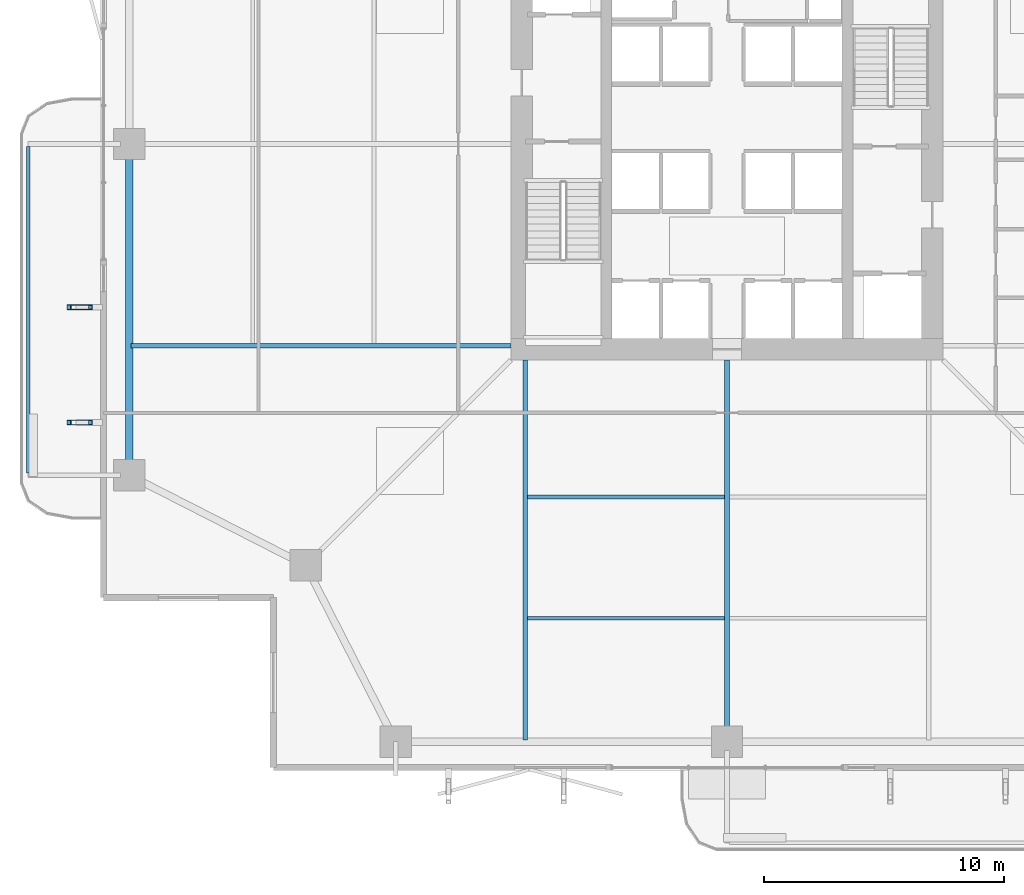
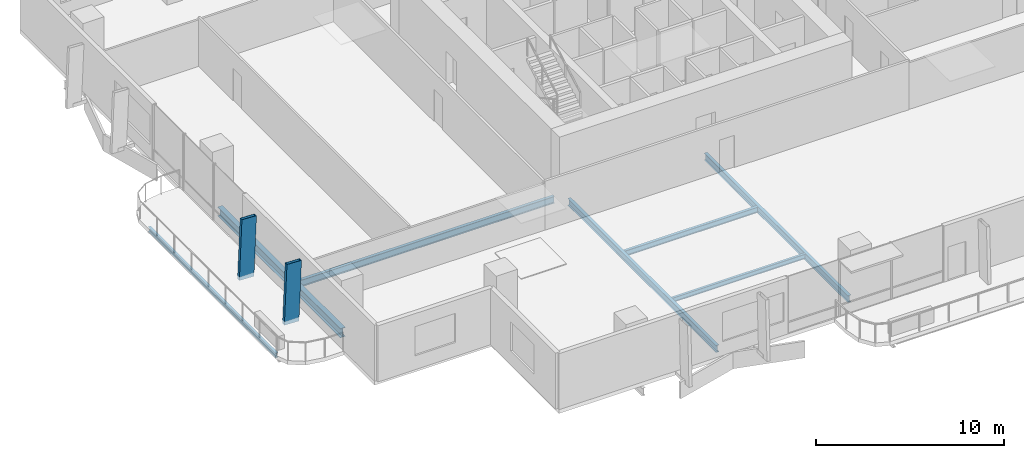
# One storey, part 3 of 24: 7 beams, 2 members.
"""IFC4 building model written with IfcOpenShell, lengths in metres."""

from ifc_helpers import new_model, si_unit, direction, frame, origin, origin_2d, place, context, subcontext, project, spatial, hollow_rectangle, i_section, extrude, material, material_profile, profile_set, type_object, element, save


model = new_model("IFC4")

# Units and contexts
model_context = context("Model", 3, precision=1e-05, world=origin(), true_north=direction((0.0, 1.0)))
body_context = subcontext(model_context, "Body", "Model", "MODEL_VIEW")
ifc_project = project(units=[si_unit("LENGTHUNIT", "METRE"), si_unit("AREAUNIT", "SQUARE_METRE"), si_unit("VOLUMEUNIT", "CUBIC_METRE"), si_unit("PLANEANGLEUNIT", "RADIAN"), si_unit("MASSUNIT", "GRAM", prefix="KILO")], contexts=[model_context])

# Site, building, storey
site_placement = place(None, origin())
site = spatial("IfcSite", under=ifc_project, at=site_placement, CompositionType="ELEMENT")
building_placement = place(site_placement, origin())
building = spatial("IfcBuilding", under=site, at=building_placement, Name="Belovzor Exchange Tower", CompositionType="ELEMENT")
storey_placement = place(building_placement, frame((0.0, 0.0, 117.300048828125)))
storey = spatial("IfcBuildingStorey", under=building, at=storey_placement, Name="L28", CompositionType="ELEMENT", Elevation=117.300048828125)

# Beams
ifc_material_1 = material(Name="Steel S355", Category="steel")
ifc_material_profile_1 = material_profile(ifc_material_1, i_section(OverallWidth=0.14990234375, OverallDepth=0.300048828125, WebThickness=0.007080078125, FlangeThickness=0.0107421875, at=origin_2d()))
ifc_profile_set_1 = profile_set([ifc_material_profile_1], Name="Steel S355")
beam_type_1 = type_object("IfcBeamType", Name="Planted Balcony Fascia Edge Beam IPE 300", PredefinedType="BEAM", material=ifc_profile_set_1)
beam_1_placement = place(storey_placement, frame((-0.30810546875, 28.699951171875, -0.400146484375), z_axis=(0.0, -1.0, 0.0), x_axis=(1.0, 0.0, 0.0)))
element("IfcBeam", 1, at=beam_1_placement, inside=storey, type_object=beam_type_1, Name="BC-300 Planted Balcony Fascia Edge Beam IPE 300", PredefinedType="BEAM", context=body_context, shape_type="SweptSolid", body=[
    extrude(i_section(OverallWidth=0.14990234375, OverallDepth=0.300048828125, WebThickness=0.007080078125, FlangeThickness=0.0107421875, at=origin_2d()), origin(), (0.0, 0.0, 1.0), 13.599853515625),
])
ifc_material_2 = material(Name="Steel S355", Category="steel")
ifc_material_profile_2 = material_profile(ifc_material_2, i_section(OverallWidth=0.169921875, OverallDepth=0.360107421875, WebThickness=0.008056640625, FlangeThickness=0.0126953125, at=origin_2d()))
ifc_profile_set_2 = profile_set([ifc_material_profile_2], Name="Steel S355")
beam_type_2 = type_object("IfcBeamType", Name="Secondary Infill Floor Joist IPE 360", PredefinedType="BEAM", material=ifc_profile_set_2)
beam_2_placement = place(storey_placement, frame((20.4951171875, 14.10302734375, -0.429931640625), z_axis=(1.0, 0.0, 0.0), x_axis=(0.0, 1.0, 0.0)))
element("IfcBeam", 2, at=beam_2_placement, inside=storey, type_object=beam_type_2, Name="FJ-360 Secondary Infill Floor Joist IPE 360", PredefinedType="BEAM", context=body_context, shape_type="SweptSolid", body=[
    extrude(i_section(OverallWidth=0.169921875, OverallDepth=0.360107421875, WebThickness=0.008056640625, FlangeThickness=0.0126953125, at=origin_2d()), origin(), (0.0, 0.0, 1.0), 8.2099609375),
])
ifc_material_3 = material(Name="Steel S355", Category="steel")
ifc_material_profile_3 = material_profile(ifc_material_3, i_section(OverallWidth=0.14990234375, OverallDepth=0.300048828125, WebThickness=0.007080078125, FlangeThickness=0.0107421875, at=origin_2d()))
ifc_profile_set_3 = profile_set([ifc_material_profile_3], Name="Steel S355")
beam_type_3 = type_object("IfcBeamType", Name="Secondary Trim Floor Joist IPE 300", PredefinedType="BEAM", material=ifc_profile_set_3)
beam_3_placement = place(storey_placement, frame((20.4951171875, 9.0390625, -0.400146484375), z_axis=(1.0, 0.0, 0.0), x_axis=(0.0, 1.0, 0.0)))
element("IfcBeam", 3, at=beam_3_placement, inside=storey, type_object=beam_type_3, Name="FJ-300 Secondary Trim Floor Joist IPE 300", PredefinedType="BEAM", context=body_context, shape_type="SweptSolid", body=[
    extrude(i_section(OverallWidth=0.14990234375, OverallDepth=0.300048828125, WebThickness=0.007080078125, FlangeThickness=0.0107421875, at=origin_2d()), origin(), (0.0, 0.0, 1.0), 8.2099609375),
])

# Members
ifc_material_4 = material(Name="Extruded Architectural Terracotta on Steel S355 Carrier", Category="masonry")
ifc_material_profile_4 = material_profile(ifc_material_4, hollow_rectangle(XDim=0.199951171875, YDim=0.89990234375, WallThickness=0.011962890625, at=origin_2d()))
ifc_profile_set_4 = profile_set([ifc_material_profile_4], Name="Extruded Architectural Terracotta on Steel S355 Carrier")
member_type = type_object("IfcMemberType", Name="Sweeping Terracotta Baguette Fin Assembly 1250", PredefinedType="USERDEFINED", material=ifc_profile_set_4)
for number, where, z_axis, x_axis, name in (
    (4, (1.758056640625, 17.199951171875, -0.25), (0.040719923662, 0.0, 0.999170599956), (0.0, 1.0, 0.0), "FIN-TC125 Terracotta Facade Fin L28 W1"),
    (5, (1.758056640625, 22.0, -0.25), (0.040719923662, 0.0, 0.999170599956), (0.0, 1.0, 0.0), "FIN-TC125 Terracotta Facade Fin L28 W2"),
):
    element("IfcMember", number, at=place(storey_placement, frame(where, z_axis=z_axis, x_axis=x_axis)), inside=storey, type_object=member_type, Name=name, ObjectType="FIN", PredefinedType="USERDEFINED", context=body_context, shape_type="SweptSolid", body=[
        extrude(hollow_rectangle(XDim=0.199951171875, YDim=0.89990234375, WallThickness=0.011962890625, at=origin_2d()), origin(), (0.0, 0.0, 1.0), 3.903076171875),
    ])

# Beams
ifc_material_5 = material(Name="Steel S355", Category="steel")
ifc_material_profile_5 = material_profile(ifc_material_5, i_section(OverallWidth=0.300048828125, OverallDepth=0.60009765625, WebThickness=0.015380859375, FlangeThickness=0.030029296875, at=origin_2d()))
ifc_profile_set_5 = profile_set([ifc_material_profile_5], Name="Steel S355")
beam_type_4 = type_object("IfcBeamType", Name="Zone 2 Primary Perimeter Girder HEB 600", PredefinedType="BEAM", material=ifc_profile_set_5)
beam_4_placement = place(storey_placement, frame((3.89990234375, 28.44189453125, -0.550048828125), z_axis=(0.0, -1.0, 0.0), x_axis=(1.0, 0.0, 0.0)))
element("IfcBeam", 6, at=beam_4_placement, inside=storey, type_object=beam_type_4, Name="FG-Z2 Zone 2 Primary Perimeter Girder HEB 600", PredefinedType="BEAM", context=body_context, shape_type="SweptSolid", body=[
    extrude(i_section(OverallWidth=0.300048828125, OverallDepth=0.60009765625, WebThickness=0.015380859375, FlangeThickness=0.030029296875, at=origin_2d()), origin(), (0.0, 0.0, 1.0), 13.0849609375),
])
ifc_material_6 = material(Name="Steel S355", Category="steel")
ifc_material_profile_6 = material_profile(ifc_material_6, i_section(OverallWidth=0.18994140625, OverallDepth=0.449951171875, WebThickness=0.009521484375, FlangeThickness=0.0146484375, at=origin_2d()))
ifc_profile_set_6 = profile_set([ifc_material_profile_6], Name="Steel S355")
beam_type_5 = type_object("IfcBeamType", Name="Zone 2-4 Radial Composite Floor Beam IPE 450", PredefinedType="BEAM", material=ifc_profile_set_6)
beam_5_placement = place(storey_placement, frame((20.39990234375, 19.800048828125, -0.47509765625), z_axis=(0.0, -1.0, 0.0), x_axis=(1.0, 0.0, 0.0)))
element("IfcBeam", 7, at=beam_5_placement, inside=storey, type_object=beam_type_5, Name="FB-450 Zone 2-4 Radial Composite Floor Beam IPE 450", PredefinedType="BEAM", context=body_context, shape_type="SweptSolid", body=[
    extrude(i_section(OverallWidth=0.18994140625, OverallDepth=0.449951171875, WebThickness=0.009521484375, FlangeThickness=0.0146484375, at=origin_2d()), origin(), (0.0, 0.0, 1.0), 15.824951171875),
])
beam_6_placement = place(storey_placement, frame((28.800048828125, 19.800048828125, -0.47509765625), z_axis=(0.0, -1.0, 0.0), x_axis=(1.0, 0.0, 0.0)))
element("IfcBeam", 8, at=beam_6_placement, inside=storey, type_object=beam_type_5, Name="FB-450 Zone 2-4 Radial Composite Floor Beam IPE 450", PredefinedType="BEAM", context=body_context, shape_type="SweptSolid", body=[
    extrude(i_section(OverallWidth=0.18994140625, OverallDepth=0.449951171875, WebThickness=0.009521484375, FlangeThickness=0.0146484375, at=origin_2d()), origin(), (0.0, 0.0, 1.0), 15.328125),
])
beam_7_placement = place(storey_placement, frame((19.800048828125, 20.39990234375, -0.47509765625), z_axis=(-1.0, 0.0, 0.0), x_axis=(0.0, -1.0, 0.0)))
element("IfcBeam", 9, at=beam_7_placement, inside=storey, type_object=beam_type_5, Name="FB-450 Zone 2-4 Radial Composite Floor Beam IPE 450", PredefinedType="BEAM", context=body_context, shape_type="SweptSolid", body=[
    extrude(i_section(OverallWidth=0.18994140625, OverallDepth=0.449951171875, WebThickness=0.009521484375, FlangeThickness=0.0146484375, at=origin_2d()), origin(), (0.0, 0.0, 1.0), 15.824951171875),
])

save(model, "model.ifc")
